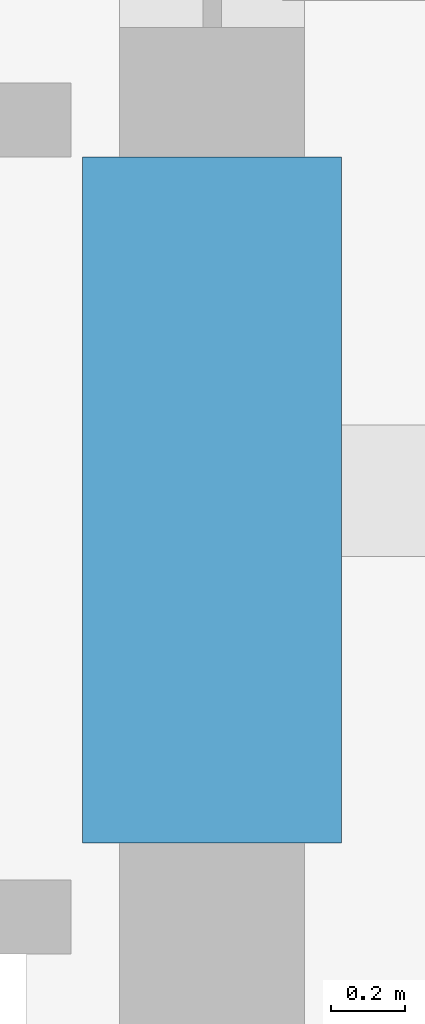
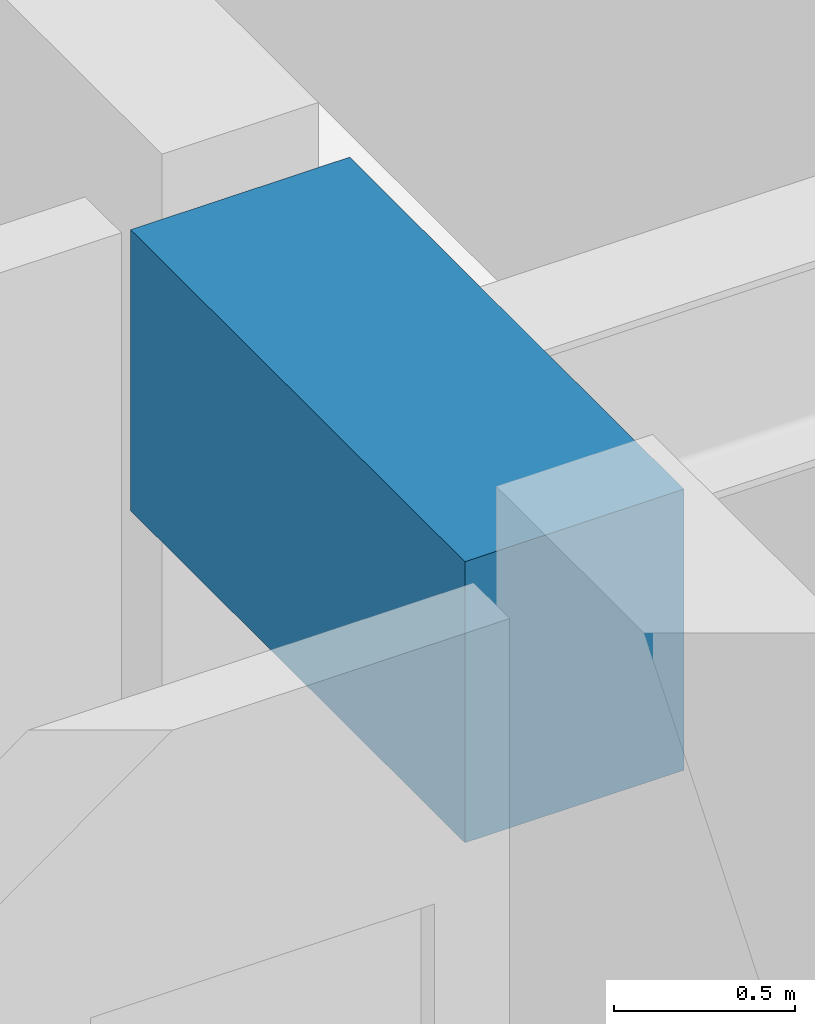
# One storey, part 11 of 38: 1 beam.
"""IFC4 building model written with IfcOpenShell, lengths in metres."""

import ifcopenshell
import ifcopenshell.guid

model = None  # the IFC model being written
_history = None  # IfcOwnerHistory: only IFC2X3 demands one
_inside = {}  # id of a spatial element -> (the spatial element, [elements in it])
_under = {}  # id of a project, library or spatial element -> (it, [spatial elements below it])
_declared = {}  # id of a project -> (the project, [libraries it declares])
_typed = {}  # id of a type object -> (the type object, [elements of that type])
_made_of = {}  # id of a material, layer set ... -> (it, [elements and type objects made of it])


def new_model(schema):
    """Start an empty IFC model of exactly this schema.

    Asked for "IFC4X3", IfcOpenShell would pick the latest addendum, in which some entities
    have other attributes; the version numbers below select the first issue.
    IFC2X3 requires an IfcOwnerHistory on every rooted entity: one is made here for all.
    """
    global model, _history
    if schema == "IFC4X3":
        model = ifcopenshell.file(schema_version=(4, 3, 0, 0))
    else:
        model = ifcopenshell.file(schema=schema)
    _inside.clear()
    _under.clear()
    _declared.clear()
    _typed.clear()
    _made_of.clear()
    _history = None
    if model.schema == "IFC2X3":
        org = make("IfcOrganization", Name="unknown")
        user = make(
            "IfcPersonAndOrganization",
            ThePerson=make("IfcPerson", FamilyName="unknown"),
            TheOrganization=org,
        )
        app = make(
            "IfcApplication",
            ApplicationDeveloper=org,
            Version="unknown",
            ApplicationFullName="unknown",
            ApplicationIdentifier="unknown",
        )
        _history = make(
            "IfcOwnerHistory",
            OwningUser=user,
            OwningApplication=app,
            ChangeAction="ADDED",
            CreationDate=0,
        )
    return model


def make(cls, **values):
    """One entity of the class cls with the attributes given. An attribute that is None is left unset."""
    return model.create_entity(
        cls, **{name: value for name, value in values.items() if value is not None}
    )


def rooted(cls, **values):
    """An entity with a GlobalId (a new one), such as an element, a storey or a relation."""
    return make(cls, GlobalId=ifcopenshell.guid.new(), OwnerHistory=_history, **values)


def si_unit(unit_type, name, prefix=None):
    """IfcSIUnit, for example si_unit("LENGTHUNIT", "METRE", prefix="MILLI")."""
    return make("IfcSIUnit", UnitType=unit_type, Prefix=prefix, Name=name)


def assignment(units):
    """IfcUnitAssignment: the units of a project."""
    return None if units is None else make("IfcUnitAssignment", Units=units)


def point(xyz):
    """IfcCartesianPoint."""
    return None if xyz is None else make("IfcCartesianPoint", Coordinates=xyz)


def direction(xyz):
    """IfcDirection."""
    return None if xyz is None else make("IfcDirection", DirectionRatios=xyz)


def frame(location, z_axis=None, x_axis=None):
    """IfcAxis2Placement3D, a coordinate frame: its origin and axes. An axis left out is left unset."""
    return make(
        "IfcAxis2Placement3D",
        Location=point(location),
        Axis=direction(z_axis),
        RefDirection=direction(x_axis),
    )


def frame_2d(location, x_axis=None):
    """IfcAxis2Placement2D, a coordinate frame in the plane: its origin and x axis."""
    return make(
        "IfcAxis2Placement2D", Location=point(location), RefDirection=direction(x_axis)
    )


def origin():
    """The frame at (0, 0, 0) with its axes left unset."""
    return frame((0.0, 0.0, 0.0))


def origin_2d():
    """The frame at (0, 0) in the plane with its x axis left unset."""
    return frame_2d((0.0, 0.0))


def place(relative_to, where):
    """IfcLocalPlacement: puts the frame where relative to a parent placement (None: the world)."""
    return make(
        "IfcLocalPlacement", PlacementRelTo=relative_to, RelativePlacement=where
    )


def context(
    kind, dimensions, precision=None, world=None, true_north=None, identifier=None
):
    """IfcGeometricRepresentationContext, for example the 3D "Model" context."""
    return make(
        "IfcGeometricRepresentationContext",
        ContextIdentifier=identifier,
        ContextType=kind,
        CoordinateSpaceDimension=dimensions,
        Precision=precision,
        WorldCoordinateSystem=world,
        TrueNorth=true_north,
    )


def subcontext(parent, identifier, kind, view, scale=None):
    """IfcGeometricRepresentationSubContext, for example "Body" below "Model"."""
    return make(
        "IfcGeometricRepresentationSubContext",
        ContextIdentifier=identifier,
        ContextType=kind,
        ParentContext=parent,
        TargetScale=scale,
        TargetView=view,
    )


def project(units=None, contexts=None):
    """IfcProject with its units and contexts."""
    return rooted(
        "IfcProject",
        Name="project",
        RepresentationContexts=contexts,
        UnitsInContext=assignment(units),
    )


def spatial(cls, under=None, at=None, **own):
    """A site, building, storey or space (cls), placed at a placement, below another one or the project."""
    s = rooted(cls, ObjectPlacement=at, **own)
    if under is not None:
        _under.setdefault(under.id(), (under, []))[1].append(s)
    return s


def profile(cls, at=None, kind="AREA", **sizes):
    """A parametric profile (cls). Its sizes go by their IFC names, for example OverallWidth=200.0."""
    return make(cls, ProfileType=kind, Position=at, **sizes)


def rectangle(**sizes):
    """IfcRectangleProfileDef."""
    return profile("IfcRectangleProfileDef", **sizes)


def extrude(swept, where, along, depth):
    """IfcExtrudedAreaSolid: the profile swept, set in the frame where, extruded along a direction by depth."""
    return make(
        "IfcExtrudedAreaSolid",
        SweptArea=swept,
        Position=where,
        ExtrudedDirection=direction(along),
        Depth=depth,
    )


def shape(context_of_items, identifier, shape_type, items):
    """IfcShapeRepresentation: the items that make up one representation, for example the "Body"."""
    return make(
        "IfcShapeRepresentation",
        ContextOfItems=context_of_items,
        RepresentationIdentifier=identifier,
        RepresentationType=shape_type,
        Items=items,
    )


def material(Name=None, Category=None):
    """IfcMaterial."""
    return make("IfcMaterial", Name=Name, Category=Category)


def material_profile(
    of_material, cross_section, Name=None, Category=None, Priority=None
):
    """IfcMaterialProfile: a cross section and its material."""
    return make(
        "IfcMaterialProfile",
        Name=Name,
        Material=of_material,
        Profile=cross_section,
        Priority=Priority,
        Category=Category,
    )


def profile_set(profiles, Name=None, composite=None):
    """IfcMaterialProfileSet."""
    return make(
        "IfcMaterialProfileSet",
        Name=Name,
        MaterialProfiles=profiles,
        CompositeProfile=composite,
    )


def made_of(thing, what):
    """Note that an element or type object is made of a material, layer set ...; save() writes the relation."""
    if what is not None:
        _made_of.setdefault(what.id(), (what, []))[1].append(thing)
    return thing


def type_object(cls, material=None, **own):
    """A type object (cls), such as IfcWallType, which elements share."""
    return made_of(rooted(cls, **own), material)


def element(
    cls,
    number,
    at=None,
    inside=None,
    cuts=None,
    type_object=None,
    material=None,
    context=None,
    identifier="Body",
    shape_type=None,
    held_by="IfcProductDefinitionShape",
    body=None,
    shapes=None,
    **own,
):
    """One element of the class cls, such as IfcWall. Its Tag is "e" and its number.

    at: its placement. inside: the storey or other place that contains it. cuts: it is an
    opening in that element (IfcRelVoidsElement). A single representation is given by context,
    identifier, shape_type and body (its items); several are given by shapes. held_by: the class
    of the entity that holds the representations. save() writes the other relations.
    """
    e = rooted(cls, Tag="e%d" % number, ObjectPlacement=at, **own)
    if body is not None:
        shapes = [shape(context, identifier, shape_type, body)]
    if shapes is not None:
        e.Representation = make(held_by, Representations=shapes)
    if inside is not None:
        _inside.setdefault(inside.id(), (inside, []))[1].append(e)
    if cuts is not None:
        rooted(
            "IfcRelVoidsElement", RelatingBuildingElement=cuts, RelatedOpeningElement=e
        )
    if type_object is not None:
        _typed.setdefault(type_object.id(), (type_object, []))[1].append(e)
    return made_of(e, material)


def aggregate(whole, parts):
    """IfcRelAggregates: a whole, such as a stair, and the parts it consists of."""
    return rooted("IfcRelAggregates", RelatingObject=whole, RelatedObjects=parts)


def save(model, path):
    """Write the relations noted so far, then the file.

    IfcRelAggregates (storeys below a building ...), IfcRelContainedInSpatialStructure (elements
    in a storey), IfcRelDefinesByType, IfcRelAssociatesMaterial and IfcRelDeclares: one each for
    every whole, place, type object, material and project.
    """
    for whole, parts in _under.values():
        aggregate(whole, parts)
    for where, things in _inside.values():
        rooted(
            "IfcRelContainedInSpatialStructure",
            RelatedElements=things,
            RelatingStructure=where,
        )
    for kind, things in _typed.values():
        rooted("IfcRelDefinesByType", RelatedObjects=things, RelatingType=kind)
    for what, things in _made_of.values():
        rooted("IfcRelAssociatesMaterial", RelatedObjects=things, RelatingMaterial=what)
    for by, libraries in _declared.values():
        rooted("IfcRelDeclares", RelatingContext=by, RelatedDefinitions=libraries)
    model.write(path)


model = new_model("IFC4")

# Units and contexts
model_context = context("Model", 3, precision=1e-05, world=origin(), true_north=direction((0.0, 1.0)))
body_context = subcontext(model_context, "Body", "Model", "MODEL_VIEW")
ifc_project = project(units=[si_unit("LENGTHUNIT", "METRE"), si_unit("AREAUNIT", "SQUARE_METRE"), si_unit("VOLUMEUNIT", "CUBIC_METRE"), si_unit("PLANEANGLEUNIT", "RADIAN"), si_unit("MASSUNIT", "GRAM", prefix="KILO")], contexts=[model_context])

# Site, building, storey
site_placement = place(None, origin())
site = spatial("IfcSite", under=ifc_project, at=site_placement, CompositionType="ELEMENT")
building_placement = place(site_placement, origin())
building = spatial("IfcBuilding", under=site, at=building_placement, Name="Kolvaren Belvedere", CompositionType="ELEMENT")
storey_placement = place(building_placement, frame((0.0, 0.0, 206.39990234375)))
storey = spatial("IfcBuildingStorey", under=building, at=storey_placement, Name="L60", CompositionType="ELEMENT", Elevation=206.39990234375)

# Beam
ifc_material = material(Name="Concrete C60/75", Category="concrete")
ifc_material_profile = material_profile(ifc_material, rectangle(XDim=0.699951171875, YDim=0.949951171875, at=origin_2d()), Name="RC 700X950")
ifc_profile_set = profile_set([ifc_material_profile], Name="Concrete C60/75")
beam_type = type_object("IfcBeamType", Name="BM-LINT-950", PredefinedType="LINTEL", material=ifc_profile_set)
beam_placement = place(storey_placement, frame((9.89990234375, -5.550048828125, 2.60498046875), z_axis=(0.0, 1.0, 0.0), x_axis=(-1.0, 0.0, 0.0)))
element("IfcBeam", 1, at=beam_placement, inside=storey, type_object=beam_type, Name="L60 East Core Coupling Lintel", PredefinedType="LINTEL", context=body_context, shape_type="SweptSolid", body=[
    extrude(rectangle(XDim=0.699951171875, YDim=0.949951171875, at=origin_2d()), origin(), (0.0, 0.0, 1.0), 1.85009765625),
])

save(model, "model.ifc")
